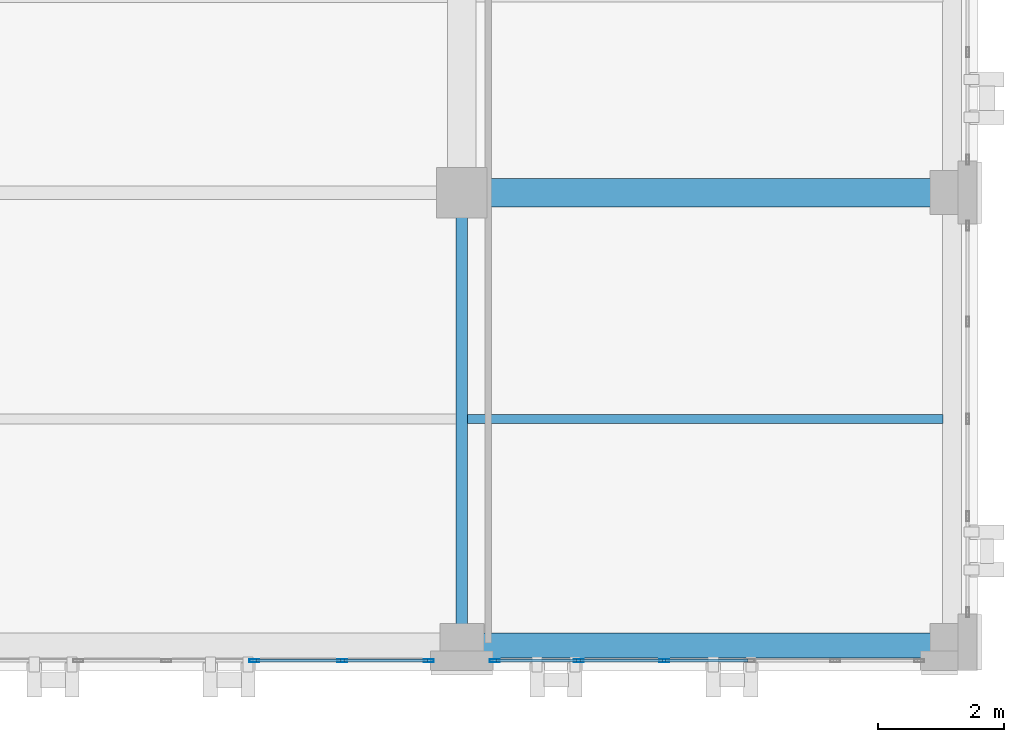
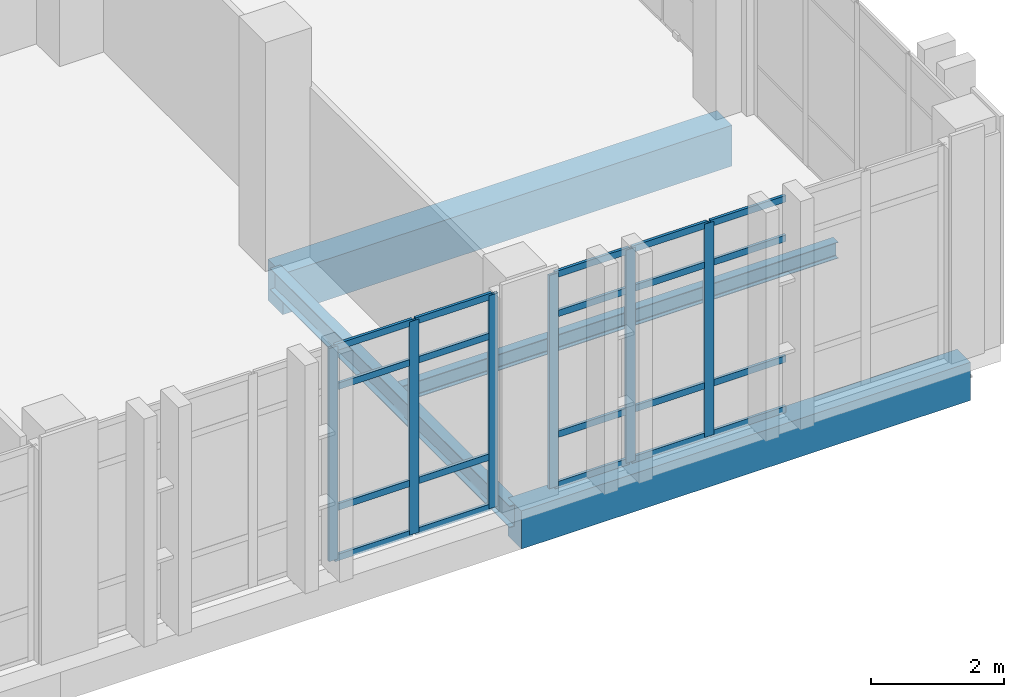
# One storey, part 120 of 193: 26 members, 4 beams, 2 elements without a shape of their own.
"""IFC4 building model written with IfcOpenShell, lengths in metres."""

from ifc_helpers import new_model, si_unit, direction, frame, origin, origin_2d, place, context, subcontext, project, spatial, rectangle, hollow_rectangle, i_section, extrude, material, layer, layer_set, material_profile, profile_set, type_object, element, aggregate, save


model = new_model("IFC4")

# Units and contexts
model_context = context("Model", 3, precision=1e-05, world=origin(), true_north=direction((0.0, 1.0)))
body_context = subcontext(model_context, "Body", "Model", "MODEL_VIEW")
ifc_project = project(units=[si_unit("LENGTHUNIT", "METRE"), si_unit("AREAUNIT", "SQUARE_METRE"), si_unit("VOLUMEUNIT", "CUBIC_METRE"), si_unit("PLANEANGLEUNIT", "RADIAN"), si_unit("MASSUNIT", "GRAM", prefix="KILO")], contexts=[model_context])

# Site, building, storey
site_placement = place(None, origin())
site = spatial("IfcSite", under=ifc_project, at=site_placement, CompositionType="ELEMENT")
building_placement = place(site_placement, origin())
building = spatial("IfcBuilding", under=site, at=building_placement, Name="Qalavern Law Courts", CompositionType="ELEMENT")
storey_placement = place(building_placement, frame((0.0, 0.0, 10.199951171875)))
storey = spatial("IfcBuildingStorey", under=building, at=storey_placement, Name="L02", CompositionType="ELEMENT", Elevation=10.199951171875)

# Curtain wall, members
ifc_material_1 = material(Name="Anodised aluminium and insulated glazing", Category="aluminium")
ifc_layer = layer(ifc_material_1, 0.172119140625)
ifc_layer_set = layer_set([ifc_layer], Name="Anodised aluminium and insulated glazing")
curtain_wall_type = type_object("IfcCurtainWallType", Name="ENV-CW-COURT", PredefinedType="USERDEFINED", material=ifc_layer_set)
curtain_wall_1_placement = place(storey_placement, origin())
curtain_wall_1 = element("IfcCurtainWall", 1, at=curtain_wall_1_placement, inside=storey, type_object=curtain_wall_type, Name="V6 unitised curtain wall L02 south 6", ObjectType="UNITISED CURTAIN WALL", PredefinedType="USERDEFINED")
ifc_material_2 = material(Name="Anodised aluminium", Category="aluminium")
ifc_material_profile_1 = material_profile(ifc_material_2, hollow_rectangle(XDim=0.048095703125, YDim=0.159912109375, WallThickness=0.00390625, at=origin_2d()), Name="ALU MULLION 48x160")
ifc_profile_set_1 = profile_set([ifc_material_profile_1], Name="Anodised aluminium")
member_type_1 = type_object("IfcMemberType", Name="ENV-CWM-48x160", PredefinedType="MULLION", material=ifc_profile_set_1)
member_1_placement = place(storey_placement, frame((154.5, 1.155029296875, 0.0), z_axis=(0.0, 0.0, 1.0), x_axis=(0.0, 1.0, 0.0)))
member_1 = element("IfcMember", 2, at=member_1_placement, type_object=member_type_1, Name="CW-03 mullion 4", PredefinedType="MULLION", context=body_context, shape_type="SweptSolid", body=[
    extrude(hollow_rectangle(XDim=0.048095703125, YDim=0.159912109375, WallThickness=0.00390625, at=origin_2d()), origin(), (0.0, 0.0, 1.0), 3.9150390625),
])
member_2_placement = place(storey_placement, frame((155.89990234375, 1.155029296875, 0.0), z_axis=(0.0, 0.0, 1.0), x_axis=(0.0, 1.0, 0.0)))
member_2 = element("IfcMember", 3, at=member_2_placement, type_object=member_type_1, Name="CW-03 mullion 5", PredefinedType="MULLION", context=body_context, shape_type="SweptSolid", body=[
    extrude(hollow_rectangle(XDim=0.048095703125, YDim=0.159912109375, WallThickness=0.00390625, at=origin_2d()), origin(), (0.0, 0.0, 1.0), 3.9150390625),
])
member_3_placement = place(storey_placement, frame((157.27587890625, 1.155029296875, 0.0), z_axis=(0.0, 0.0, 1.0), x_axis=(0.0, 1.0, 0.0)))
member_3 = element("IfcMember", 4, at=member_3_placement, type_object=member_type_1, Name="CW-03 mullion 6", PredefinedType="MULLION", context=body_context, shape_type="SweptSolid", body=[
    extrude(hollow_rectangle(XDim=0.048095703125, YDim=0.159912109375, WallThickness=0.00390625, at=origin_2d()), origin(), (0.0, 0.0, 1.0), 3.9150390625),
])

curtain_wall_2_placement = place(storey_placement, origin())
curtain_wall_2 = element("IfcCurtainWall", 5, at=curtain_wall_2_placement, inside=storey, type_object=curtain_wall_type, Name="V6 unitised curtain wall L02 south 7", ObjectType="UNITISED CURTAIN WALL", PredefinedType="USERDEFINED")
member_4_placement = place(storey_placement, frame((158.323974609375, 1.155029296875, 0.0), z_axis=(0.0, 0.0, 1.0), x_axis=(0.0, 1.0, 0.0)))
member_4 = element("IfcMember", 6, at=member_4_placement, type_object=member_type_1, Name="CW-03 mullion 1", PredefinedType="MULLION", context=body_context, shape_type="SweptSolid", body=[
    extrude(hollow_rectangle(XDim=0.048095703125, YDim=0.159912109375, WallThickness=0.00390625, at=origin_2d()), origin(), (0.0, 0.0, 1.0), 3.9150390625),
])
member_5_placement = place(storey_placement, frame((159.659912109375, 1.155029296875, 0.0), z_axis=(0.0, 0.0, 1.0), x_axis=(0.0, 1.0, 0.0)))
member_5 = element("IfcMember", 7, at=member_5_placement, type_object=member_type_1, Name="CW-03 mullion 2", PredefinedType="MULLION", context=body_context, shape_type="SweptSolid", body=[
    extrude(hollow_rectangle(XDim=0.048095703125, YDim=0.159912109375, WallThickness=0.00390625, at=origin_2d()), origin(), (0.0, 0.0, 1.0), 3.9150390625),
])
member_6_placement = place(storey_placement, frame((161.02001953125, 1.155029296875, 0.0), z_axis=(0.0, 0.0, 1.0), x_axis=(0.0, 1.0, 0.0)))
member_6 = element("IfcMember", 8, at=member_6_placement, type_object=member_type_1, Name="CW-03 mullion 3", PredefinedType="MULLION", context=body_context, shape_type="SweptSolid", body=[
    extrude(hollow_rectangle(XDim=0.048095703125, YDim=0.159912109375, WallThickness=0.00390625, at=origin_2d()), origin(), (0.0, 0.0, 1.0), 3.9150390625),
])

# Member
ifc_material_profile_2 = material_profile(ifc_material_2, hollow_rectangle(XDim=0.048095703125, YDim=0.1201171875, WallThickness=0.00390625, at=origin_2d()), Name="ALU TRANSOM 48x120")
ifc_profile_set_2 = profile_set([ifc_material_profile_2], Name="Anodised aluminium")
member_type_2 = type_object("IfcMemberType", Name="ENV-CWT-48x120", PredefinedType="USERDEFINED", material=ifc_profile_set_2)
member_7_placement = place(storey_placement, frame((154.52392578125, 1.155029296875, 0.024169921875), z_axis=(1.0, 0.0, 0.0), x_axis=(0.0, 1.0, 0.0)))
member_7 = element("IfcMember", 9, at=member_7_placement, type_object=member_type_2, Name="CW-03 transom 4.1", ObjectType="TRANSOM", PredefinedType="USERDEFINED", context=body_context, shape_type="SweptSolid", body=[
    extrude(hollow_rectangle(XDim=0.048095703125, YDim=0.1201171875, WallThickness=0.00390625, at=origin_2d()), origin(), (0.0, 0.0, 1.0), 1.35205078125),
])

member_8_placement = place(storey_placement, frame((154.52392578125, 1.155029296875, 0.949951171875), z_axis=(1.0, 0.0, 0.0), x_axis=(0.0, 1.0, 0.0)))
member_8 = element("IfcMember", 10, at=member_8_placement, type_object=member_type_2, Name="CW-03 transom 4.2", ObjectType="TRANSOM", PredefinedType="USERDEFINED", context=body_context, shape_type="SweptSolid", body=[
    extrude(hollow_rectangle(XDim=0.048095703125, YDim=0.1201171875, WallThickness=0.00390625, at=origin_2d()), origin(), (0.0, 0.0, 1.0), 1.35205078125),
])

member_9_placement = place(storey_placement, frame((154.52392578125, 1.155029296875, 3.1650390625), z_axis=(1.0, 0.0, 0.0), x_axis=(0.0, 1.0, 0.0)))
member_9 = element("IfcMember", 11, at=member_9_placement, type_object=member_type_2, Name="CW-03 transom 4.3", ObjectType="TRANSOM", PredefinedType="USERDEFINED", context=body_context, shape_type="SweptSolid", body=[
    extrude(hollow_rectangle(XDim=0.048095703125, YDim=0.1201171875, WallThickness=0.00390625, at=origin_2d()), origin(), (0.0, 0.0, 1.0), 1.35205078125),
])

member_10_placement = place(storey_placement, frame((154.52392578125, 1.155029296875, 3.89111328125), z_axis=(1.0, 0.0, 0.0), x_axis=(0.0, 1.0, 0.0)))
member_10 = element("IfcMember", 12, at=member_10_placement, type_object=member_type_2, Name="CW-03 transom 4.4", ObjectType="TRANSOM", PredefinedType="USERDEFINED", context=body_context, shape_type="SweptSolid", body=[
    extrude(hollow_rectangle(XDim=0.048095703125, YDim=0.1201171875, WallThickness=0.00390625, at=origin_2d()), origin(), (0.0, 0.0, 1.0), 1.35205078125),
])

member_11_placement = place(storey_placement, frame((155.924072265625, 1.155029296875, 0.024169921875), z_axis=(1.0, 0.0, 0.0), x_axis=(0.0, 1.0, 0.0)))
member_11 = element("IfcMember", 13, at=member_11_placement, type_object=member_type_2, Name="CW-03 transom 5.1", ObjectType="TRANSOM", PredefinedType="USERDEFINED", context=body_context, shape_type="SweptSolid", body=[
    extrude(hollow_rectangle(XDim=0.048095703125, YDim=0.1201171875, WallThickness=0.00390625, at=origin_2d()), origin(), (0.0, 0.0, 1.0), 1.327880859375),
])

member_12_placement = place(storey_placement, frame((155.924072265625, 1.155029296875, 0.949951171875), z_axis=(1.0, 0.0, 0.0), x_axis=(0.0, 1.0, 0.0)))
member_12 = element("IfcMember", 14, at=member_12_placement, type_object=member_type_2, Name="CW-03 transom 5.2", ObjectType="TRANSOM", PredefinedType="USERDEFINED", context=body_context, shape_type="SweptSolid", body=[
    extrude(hollow_rectangle(XDim=0.048095703125, YDim=0.1201171875, WallThickness=0.00390625, at=origin_2d()), origin(), (0.0, 0.0, 1.0), 1.327880859375),
])

member_13_placement = place(storey_placement, frame((155.924072265625, 1.155029296875, 3.1650390625), z_axis=(1.0, 0.0, 0.0), x_axis=(0.0, 1.0, 0.0)))
member_13 = element("IfcMember", 15, at=member_13_placement, type_object=member_type_2, Name="CW-03 transom 5.3", ObjectType="TRANSOM", PredefinedType="USERDEFINED", context=body_context, shape_type="SweptSolid", body=[
    extrude(hollow_rectangle(XDim=0.048095703125, YDim=0.1201171875, WallThickness=0.00390625, at=origin_2d()), origin(), (0.0, 0.0, 1.0), 1.327880859375),
])

member_14_placement = place(storey_placement, frame((155.924072265625, 1.155029296875, 3.89111328125), z_axis=(1.0, 0.0, 0.0), x_axis=(0.0, 1.0, 0.0)))
member_14 = element("IfcMember", 16, at=member_14_placement, type_object=member_type_2, Name="CW-03 transom 5.4", ObjectType="TRANSOM", PredefinedType="USERDEFINED", context=body_context, shape_type="SweptSolid", body=[
    extrude(hollow_rectangle(XDim=0.048095703125, YDim=0.1201171875, WallThickness=0.00390625, at=origin_2d()), origin(), (0.0, 0.0, 1.0), 1.327880859375),
])

aggregate(curtain_wall_1, [member_1, member_2, member_3, member_7, member_8, member_9, member_10, member_11, member_12, member_13, member_14])

member_15_placement = place(storey_placement, frame((158.347900390625, 1.155029296875, 0.024169921875), z_axis=(1.0, 0.0, 0.0), x_axis=(0.0, 1.0, 0.0)))
member_15 = element("IfcMember", 17, at=member_15_placement, type_object=member_type_2, Name="CW-03 transom 1.1", ObjectType="TRANSOM", PredefinedType="USERDEFINED", context=body_context, shape_type="SweptSolid", body=[
    extrude(hollow_rectangle(XDim=0.048095703125, YDim=0.1201171875, WallThickness=0.00390625, at=origin_2d()), origin(), (0.0, 0.0, 1.0), 1.2880859375),
])

member_16_placement = place(storey_placement, frame((158.347900390625, 1.155029296875, 0.949951171875), z_axis=(1.0, 0.0, 0.0), x_axis=(0.0, 1.0, 0.0)))
member_16 = element("IfcMember", 18, at=member_16_placement, type_object=member_type_2, Name="CW-03 transom 1.2", ObjectType="TRANSOM", PredefinedType="USERDEFINED", context=body_context, shape_type="SweptSolid", body=[
    extrude(hollow_rectangle(XDim=0.048095703125, YDim=0.1201171875, WallThickness=0.00390625, at=origin_2d()), origin(), (0.0, 0.0, 1.0), 1.2880859375),
])

member_17_placement = place(storey_placement, frame((158.347900390625, 1.155029296875, 3.1650390625), z_axis=(1.0, 0.0, 0.0), x_axis=(0.0, 1.0, 0.0)))
member_17 = element("IfcMember", 19, at=member_17_placement, type_object=member_type_2, Name="CW-03 transom 1.3", ObjectType="TRANSOM", PredefinedType="USERDEFINED", context=body_context, shape_type="SweptSolid", body=[
    extrude(hollow_rectangle(XDim=0.048095703125, YDim=0.1201171875, WallThickness=0.00390625, at=origin_2d()), origin(), (0.0, 0.0, 1.0), 1.2880859375),
])

member_18_placement = place(storey_placement, frame((158.347900390625, 1.155029296875, 3.89111328125), z_axis=(1.0, 0.0, 0.0), x_axis=(0.0, 1.0, 0.0)))
member_18 = element("IfcMember", 20, at=member_18_placement, type_object=member_type_2, Name="CW-03 transom 1.4", ObjectType="TRANSOM", PredefinedType="USERDEFINED", context=body_context, shape_type="SweptSolid", body=[
    extrude(hollow_rectangle(XDim=0.048095703125, YDim=0.1201171875, WallThickness=0.00390625, at=origin_2d()), origin(), (0.0, 0.0, 1.0), 1.2880859375),
])

member_19_placement = place(storey_placement, frame((159.68408203125, 1.155029296875, 0.024169921875), z_axis=(1.0, 0.0, 0.0), x_axis=(0.0, 1.0, 0.0)))
member_19 = element("IfcMember", 21, at=member_19_placement, type_object=member_type_2, Name="CW-03 transom 2.1", ObjectType="TRANSOM", PredefinedType="USERDEFINED", context=body_context, shape_type="SweptSolid", body=[
    extrude(hollow_rectangle(XDim=0.048095703125, YDim=0.1201171875, WallThickness=0.00390625, at=origin_2d()), origin(), (0.0, 0.0, 1.0), 1.31201171875),
])

member_20_placement = place(storey_placement, frame((159.68408203125, 1.155029296875, 0.949951171875), z_axis=(1.0, 0.0, 0.0), x_axis=(0.0, 1.0, 0.0)))
member_20 = element("IfcMember", 22, at=member_20_placement, type_object=member_type_2, Name="CW-03 transom 2.2", ObjectType="TRANSOM", PredefinedType="USERDEFINED", context=body_context, shape_type="SweptSolid", body=[
    extrude(hollow_rectangle(XDim=0.048095703125, YDim=0.1201171875, WallThickness=0.00390625, at=origin_2d()), origin(), (0.0, 0.0, 1.0), 1.31201171875),
])

member_21_placement = place(storey_placement, frame((159.68408203125, 1.155029296875, 3.1650390625), z_axis=(1.0, 0.0, 0.0), x_axis=(0.0, 1.0, 0.0)))
member_21 = element("IfcMember", 23, at=member_21_placement, type_object=member_type_2, Name="CW-03 transom 2.3", ObjectType="TRANSOM", PredefinedType="USERDEFINED", context=body_context, shape_type="SweptSolid", body=[
    extrude(hollow_rectangle(XDim=0.048095703125, YDim=0.1201171875, WallThickness=0.00390625, at=origin_2d()), origin(), (0.0, 0.0, 1.0), 1.31201171875),
])

member_22_placement = place(storey_placement, frame((159.68408203125, 1.155029296875, 3.89111328125), z_axis=(1.0, 0.0, 0.0), x_axis=(0.0, 1.0, 0.0)))
member_22 = element("IfcMember", 24, at=member_22_placement, type_object=member_type_2, Name="CW-03 transom 2.4", ObjectType="TRANSOM", PredefinedType="USERDEFINED", context=body_context, shape_type="SweptSolid", body=[
    extrude(hollow_rectangle(XDim=0.048095703125, YDim=0.1201171875, WallThickness=0.00390625, at=origin_2d()), origin(), (0.0, 0.0, 1.0), 1.31201171875),
])

member_23_placement = place(storey_placement, frame((161.0439453125, 1.155029296875, 0.024169921875), z_axis=(1.0, 0.0, 0.0), x_axis=(0.0, 1.0, 0.0)))
member_23 = element("IfcMember", 25, at=member_23_placement, type_object=member_type_2, Name="CW-03 transom 3.1", ObjectType="TRANSOM", PredefinedType="USERDEFINED", context=body_context, shape_type="SweptSolid", body=[
    extrude(hollow_rectangle(XDim=0.048095703125, YDim=0.1201171875, WallThickness=0.00390625, at=origin_2d()), origin(), (0.0, 0.0, 1.0), 1.31201171875),
])

member_24_placement = place(storey_placement, frame((161.0439453125, 1.155029296875, 0.949951171875), z_axis=(1.0, 0.0, 0.0), x_axis=(0.0, 1.0, 0.0)))
member_24 = element("IfcMember", 26, at=member_24_placement, type_object=member_type_2, Name="CW-03 transom 3.2", ObjectType="TRANSOM", PredefinedType="USERDEFINED", context=body_context, shape_type="SweptSolid", body=[
    extrude(hollow_rectangle(XDim=0.048095703125, YDim=0.1201171875, WallThickness=0.00390625, at=origin_2d()), origin(), (0.0, 0.0, 1.0), 1.31201171875),
])

member_25_placement = place(storey_placement, frame((161.0439453125, 1.155029296875, 3.1650390625), z_axis=(1.0, 0.0, 0.0), x_axis=(0.0, 1.0, 0.0)))
member_25 = element("IfcMember", 27, at=member_25_placement, type_object=member_type_2, Name="CW-03 transom 3.3", ObjectType="TRANSOM", PredefinedType="USERDEFINED", context=body_context, shape_type="SweptSolid", body=[
    extrude(hollow_rectangle(XDim=0.048095703125, YDim=0.1201171875, WallThickness=0.00390625, at=origin_2d()), origin(), (0.0, 0.0, 1.0), 1.31201171875),
])

member_26_placement = place(storey_placement, frame((161.0439453125, 1.155029296875, 3.89111328125), z_axis=(1.0, 0.0, 0.0), x_axis=(0.0, 1.0, 0.0)))
member_26 = element("IfcMember", 28, at=member_26_placement, type_object=member_type_2, Name="CW-03 transom 3.4", ObjectType="TRANSOM", PredefinedType="USERDEFINED", context=body_context, shape_type="SweptSolid", body=[
    extrude(hollow_rectangle(XDim=0.048095703125, YDim=0.1201171875, WallThickness=0.00390625, at=origin_2d()), origin(), (0.0, 0.0, 1.0), 1.31201171875),
])

aggregate(curtain_wall_2, [member_4, member_5, member_6, member_15, member_16, member_17, member_18, member_19, member_20, member_21, member_22, member_23, member_24, member_25, member_26])

# Beams
ifc_material_3 = material(Name="Steel S355", Category="steel")
ifc_material_profile_3 = material_profile(ifc_material_3, i_section(OverallWidth=0.179931640625, OverallDepth=0.39990234375, WebThickness=0.008544921875, FlangeThickness=0.013427734375, FilletRadius=0.02099609375, at=origin_2d()), Name="IPE 400")
ifc_profile_set_3 = profile_set([ifc_material_profile_3], Name="Steel S355")
beam_type_1 = type_object("IfcBeamType", Name="STR-BM-IPE400", PredefinedType="BEAM", material=ifc_profile_set_3)
beam_1_placement = place(storey_placement, frame((157.800048828125, 1.39990234375, -0.489990234375), z_axis=(0.0, 1.0, 0.0), x_axis=(-1.0, 0.0, 0.0)))
element("IfcBeam", 29, at=beam_1_placement, inside=storey, type_object=beam_type_1, Name="V6 Y-beam 8-1 L02", PredefinedType="BEAM", context=body_context, shape_type="SweptSolid", body=[
    extrude(i_section(OverallWidth=0.179931640625, OverallDepth=0.39990234375, WebThickness=0.008544921875, FlangeThickness=0.013427734375, FilletRadius=0.02099609375, at=origin_2d()), origin(), (0.0, 0.0, 1.0), 7.2001953125),
])
ifc_material_4 = material(Name="Concrete C40/50", Category="concrete")
ifc_material_profile_4 = material_profile(ifc_material_4, rectangle(XDim=0.449951171875, YDim=0.75, at=origin_2d()), Name="RC 450x750")
ifc_profile_set_4 = profile_set([ifc_material_profile_4], Name="Concrete C40/50")
beam_type_2 = type_object("IfcBeamType", Name="STR-BM-RC450x750", PredefinedType="BEAM", material=ifc_profile_set_4)
beam_2_placement = place(storey_placement, frame((157.800048828125, 8.60009765625, -0.6650390625), z_axis=(1.0, 0.0, 0.0), x_axis=(0.0, 1.0, 0.0)))
element("IfcBeam", 30, at=beam_2_placement, inside=storey, type_object=beam_type_2, Name="V6 X-beam 2-8 L02", PredefinedType="BEAM", context=body_context, shape_type="SweptSolid", body=[
    extrude(rectangle(XDim=0.449951171875, YDim=0.75, at=origin_2d()), origin(), (0.0, 0.0, 1.0), 7.800048828125),
])
ifc_material_profile_5 = material_profile(ifc_material_3, i_section(OverallWidth=0.14990234375, OverallDepth=0.300048828125, WebThickness=0.007080078125, FlangeThickness=0.0107421875, FilletRadius=0.014892578125, at=origin_2d()), Name="IPE 300")
ifc_profile_set_5 = profile_set([ifc_material_profile_5], Name="Steel S355")
beam_type_3 = type_object("IfcBeamType", Name="STR-JST-IPE300", PredefinedType="JOIST", material=ifc_profile_set_5)
beam_3_placement = place(storey_placement, frame((157.887939453125, 5.0, -0.43994140625), z_axis=(1.0, 0.0, 0.0), x_axis=(0.0, 1.0, 0.0)))
element("IfcBeam", 31, at=beam_3_placement, inside=storey, type_object=beam_type_3, Name="V6 secondary joist 8.1.1 L02", PredefinedType="JOIST", context=body_context, shape_type="SweptSolid", body=[
    extrude(i_section(OverallWidth=0.14990234375, OverallDepth=0.300048828125, WebThickness=0.007080078125, FlangeThickness=0.0107421875, FilletRadius=0.014892578125, at=origin_2d()), origin(), (0.0, 0.0, 1.0), 7.56396484375),
])
ifc_material_profile_6 = material_profile(ifc_material_4, rectangle(XDim=0.39990234375, YDim=0.699951171875, at=origin_2d()), Name="RC 400x700")
ifc_profile_set_6 = profile_set([ifc_material_profile_6], Name="Concrete C40/50")
beam_type_4 = type_object("IfcBeamType", Name="STR-SP-RC400x700", PredefinedType="SPANDREL", material=ifc_profile_set_6)
beam_4_placement = place(storey_placement, frame((157.800048828125, 1.39990234375, -0.639892578125), z_axis=(1.0, 0.0, 0.0), x_axis=(0.0, 1.0, 0.0)))
element("IfcBeam", 32, at=beam_4_placement, inside=storey, type_object=beam_type_4, Name="V6 X-beam 1-8 L02", PredefinedType="SPANDREL", context=body_context, shape_type="SweptSolid", body=[
    extrude(rectangle(XDim=0.39990234375, YDim=0.699951171875, at=origin_2d()), origin(), (0.0, 0.0, 1.0), 7.800048828125),
])

save(model, "model.ifc")
